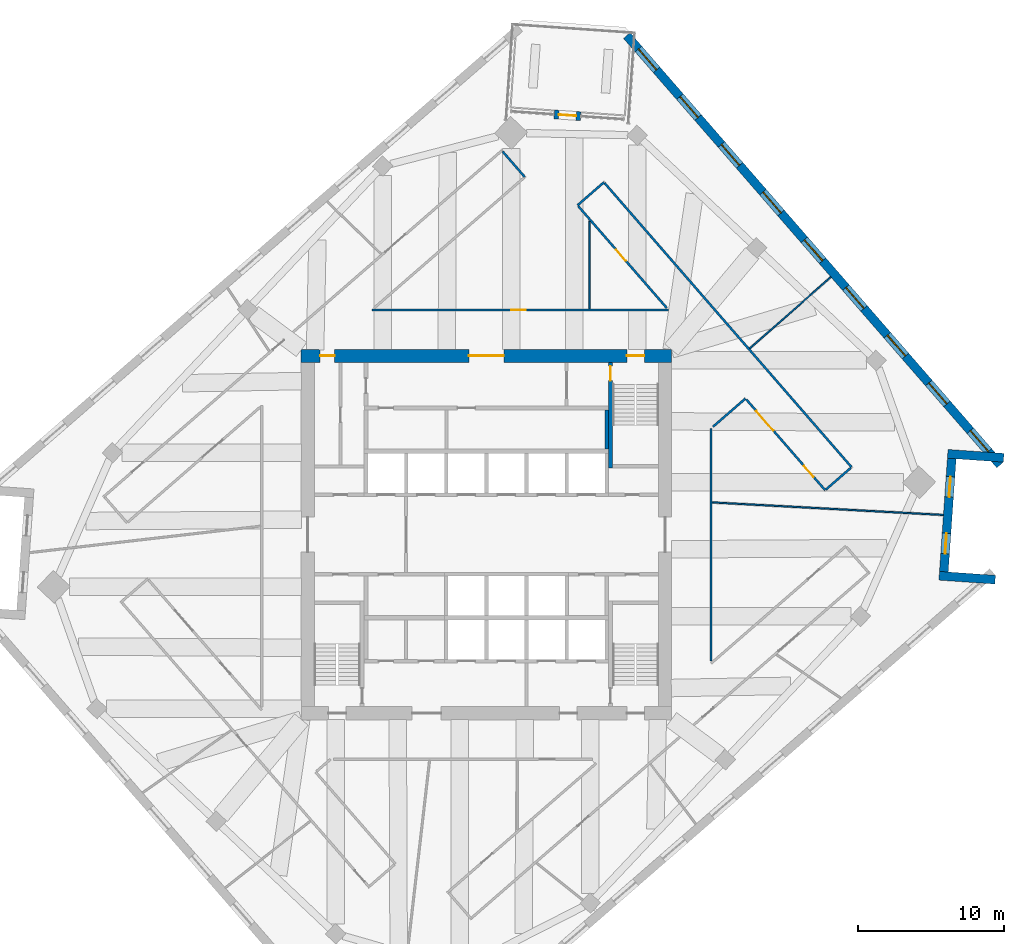
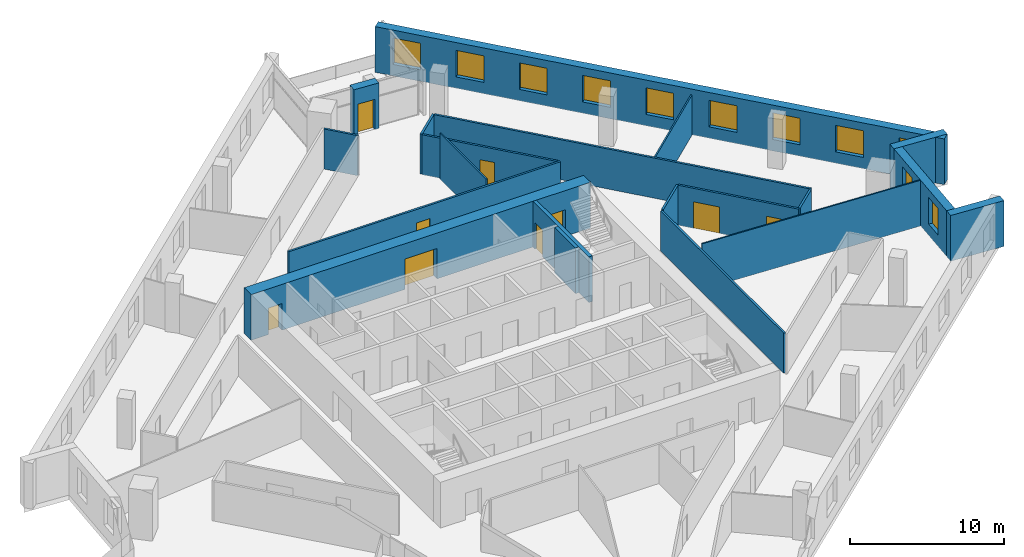
# One storey, part 8 of 11: 20 walls, 11 windows, 9 doors, 20 openings.
"""IFC4 building model written with IfcOpenShell, lengths in metres."""

import ifcopenshell
import ifcopenshell.guid

model = None  # the IFC model being written
_history = None  # IfcOwnerHistory: only IFC2X3 demands one
_inside = {}  # id of a spatial element -> (the spatial element, [elements in it])
_under = {}  # id of a project, library or spatial element -> (it, [spatial elements below it])
_declared = {}  # id of a project -> (the project, [libraries it declares])
_typed = {}  # id of a type object -> (the type object, [elements of that type])
_made_of = {}  # id of a material, layer set ... -> (it, [elements and type objects made of it])


def new_model(schema):
    """Start an empty IFC model of exactly this schema.

    Asked for "IFC4X3", IfcOpenShell would pick the latest addendum, in which some entities
    have other attributes; the version numbers below select the first issue.
    IFC2X3 requires an IfcOwnerHistory on every rooted entity: one is made here for all.
    """
    global model, _history
    if schema == "IFC4X3":
        model = ifcopenshell.file(schema_version=(4, 3, 0, 0))
    else:
        model = ifcopenshell.file(schema=schema)
    _inside.clear()
    _under.clear()
    _declared.clear()
    _typed.clear()
    _made_of.clear()
    _history = None
    if model.schema == "IFC2X3":
        org = make("IfcOrganization", Name="unknown")
        user = make(
            "IfcPersonAndOrganization",
            ThePerson=make("IfcPerson", FamilyName="unknown"),
            TheOrganization=org,
        )
        app = make(
            "IfcApplication",
            ApplicationDeveloper=org,
            Version="unknown",
            ApplicationFullName="unknown",
            ApplicationIdentifier="unknown",
        )
        _history = make(
            "IfcOwnerHistory",
            OwningUser=user,
            OwningApplication=app,
            ChangeAction="ADDED",
            CreationDate=0,
        )
    return model


def make(cls, **values):
    """One entity of the class cls with the attributes given. An attribute that is None is left unset."""
    return model.create_entity(
        cls, **{name: value for name, value in values.items() if value is not None}
    )


def rooted(cls, **values):
    """An entity with a GlobalId (a new one), such as an element, a storey or a relation."""
    return make(cls, GlobalId=ifcopenshell.guid.new(), OwnerHistory=_history, **values)


def si_unit(unit_type, name, prefix=None):
    """IfcSIUnit, for example si_unit("LENGTHUNIT", "METRE", prefix="MILLI")."""
    return make("IfcSIUnit", UnitType=unit_type, Prefix=prefix, Name=name)


def assignment(units):
    """IfcUnitAssignment: the units of a project."""
    return None if units is None else make("IfcUnitAssignment", Units=units)


def point(xyz):
    """IfcCartesianPoint."""
    return None if xyz is None else make("IfcCartesianPoint", Coordinates=xyz)


def direction(xyz):
    """IfcDirection."""
    return None if xyz is None else make("IfcDirection", DirectionRatios=xyz)


def frame(location, z_axis=None, x_axis=None):
    """IfcAxis2Placement3D, a coordinate frame: its origin and axes. An axis left out is left unset."""
    return make(
        "IfcAxis2Placement3D",
        Location=point(location),
        Axis=direction(z_axis),
        RefDirection=direction(x_axis),
    )


def frame_2d(location, x_axis=None):
    """IfcAxis2Placement2D, a coordinate frame in the plane: its origin and x axis."""
    return make(
        "IfcAxis2Placement2D", Location=point(location), RefDirection=direction(x_axis)
    )


def origin():
    """The frame at (0, 0, 0) with its axes left unset."""
    return frame((0.0, 0.0, 0.0))


def place(relative_to, where):
    """IfcLocalPlacement: puts the frame where relative to a parent placement (None: the world)."""
    return make(
        "IfcLocalPlacement", PlacementRelTo=relative_to, RelativePlacement=where
    )


def context(
    kind, dimensions, precision=None, world=None, true_north=None, identifier=None
):
    """IfcGeometricRepresentationContext, for example the 3D "Model" context."""
    return make(
        "IfcGeometricRepresentationContext",
        ContextIdentifier=identifier,
        ContextType=kind,
        CoordinateSpaceDimension=dimensions,
        Precision=precision,
        WorldCoordinateSystem=world,
        TrueNorth=true_north,
    )


def subcontext(parent, identifier, kind, view, scale=None):
    """IfcGeometricRepresentationSubContext, for example "Body" below "Model"."""
    return make(
        "IfcGeometricRepresentationSubContext",
        ContextIdentifier=identifier,
        ContextType=kind,
        ParentContext=parent,
        TargetScale=scale,
        TargetView=view,
    )


def project(units=None, contexts=None):
    """IfcProject with its units and contexts."""
    return rooted(
        "IfcProject",
        Name="project",
        RepresentationContexts=contexts,
        UnitsInContext=assignment(units),
    )


def spatial(cls, under=None, at=None, **own):
    """A site, building, storey or space (cls), placed at a placement, below another one or the project."""
    s = rooted(cls, ObjectPlacement=at, **own)
    if under is not None:
        _under.setdefault(under.id(), (under, []))[1].append(s)
    return s


def profile(cls, at=None, kind="AREA", **sizes):
    """A parametric profile (cls). Its sizes go by their IFC names, for example OverallWidth=200.0."""
    return make(cls, ProfileType=kind, Position=at, **sizes)


def rectangle(**sizes):
    """IfcRectangleProfileDef."""
    return profile("IfcRectangleProfileDef", **sizes)


def extrude(swept, where, along, depth):
    """IfcExtrudedAreaSolid: the profile swept, set in the frame where, extruded along a direction by depth."""
    return make(
        "IfcExtrudedAreaSolid",
        SweptArea=swept,
        Position=where,
        ExtrudedDirection=direction(along),
        Depth=depth,
    )


def shape(context_of_items, identifier, shape_type, items):
    """IfcShapeRepresentation: the items that make up one representation, for example the "Body"."""
    return make(
        "IfcShapeRepresentation",
        ContextOfItems=context_of_items,
        RepresentationIdentifier=identifier,
        RepresentationType=shape_type,
        Items=items,
    )


def material(Name=None, Category=None):
    """IfcMaterial."""
    return make("IfcMaterial", Name=Name, Category=Category)


def layer(
    of_material, thickness, ventilated=None, Name=None, Category=None, Priority=None
):
    """IfcMaterialLayer: one layer of a wall or slab, of a material (None: an air gap)."""
    return make(
        "IfcMaterialLayer",
        Material=of_material,
        LayerThickness=thickness,
        IsVentilated=ventilated,
        Name=Name,
        Category=Category,
        Priority=Priority,
    )


def layer_set(layers, Name=None):
    """IfcMaterialLayerSet."""
    return make("IfcMaterialLayerSet", MaterialLayers=layers, LayerSetName=Name)


def made_of(thing, what):
    """Note that an element or type object is made of a material, layer set ...; save() writes the relation."""
    if what is not None:
        _made_of.setdefault(what.id(), (what, []))[1].append(thing)
    return thing


def type_object(cls, material=None, **own):
    """A type object (cls), such as IfcWallType, which elements share."""
    return made_of(rooted(cls, **own), material)


def element(
    cls,
    number,
    at=None,
    inside=None,
    cuts=None,
    type_object=None,
    material=None,
    context=None,
    identifier="Body",
    shape_type=None,
    held_by="IfcProductDefinitionShape",
    body=None,
    shapes=None,
    **own,
):
    """One element of the class cls, such as IfcWall. Its Tag is "e" and its number.

    at: its placement. inside: the storey or other place that contains it. cuts: it is an
    opening in that element (IfcRelVoidsElement). A single representation is given by context,
    identifier, shape_type and body (its items); several are given by shapes. held_by: the class
    of the entity that holds the representations. save() writes the other relations.
    """
    e = rooted(cls, Tag="e%d" % number, ObjectPlacement=at, **own)
    if body is not None:
        shapes = [shape(context, identifier, shape_type, body)]
    if shapes is not None:
        e.Representation = make(held_by, Representations=shapes)
    if inside is not None:
        _inside.setdefault(inside.id(), (inside, []))[1].append(e)
    if cuts is not None:
        rooted(
            "IfcRelVoidsElement", RelatingBuildingElement=cuts, RelatedOpeningElement=e
        )
    if type_object is not None:
        _typed.setdefault(type_object.id(), (type_object, []))[1].append(e)
    return made_of(e, material)


def fill(opening, filler):
    """IfcRelFillsElement: the door or window that sits in an opening."""
    return rooted(
        "IfcRelFillsElement",
        RelatingOpeningElement=opening,
        RelatedBuildingElement=filler,
    )


def aggregate(whole, parts):
    """IfcRelAggregates: a whole, such as a stair, and the parts it consists of."""
    return rooted("IfcRelAggregates", RelatingObject=whole, RelatedObjects=parts)


def save(model, path):
    """Write the relations noted so far, then the file.

    IfcRelAggregates (storeys below a building ...), IfcRelContainedInSpatialStructure (elements
    in a storey), IfcRelDefinesByType, IfcRelAssociatesMaterial and IfcRelDeclares: one each for
    every whole, place, type object, material and project.
    """
    for whole, parts in _under.values():
        aggregate(whole, parts)
    for where, things in _inside.values():
        rooted(
            "IfcRelContainedInSpatialStructure",
            RelatedElements=things,
            RelatingStructure=where,
        )
    for kind, things in _typed.values():
        rooted("IfcRelDefinesByType", RelatedObjects=things, RelatingType=kind)
    for what, things in _made_of.values():
        rooted("IfcRelAssociatesMaterial", RelatedObjects=things, RelatingMaterial=what)
    for by, libraries in _declared.values():
        rooted("IfcRelDeclares", RelatingContext=by, RelatedDefinitions=libraries)
    model.write(path)


model = new_model("IFC4")

# Units and contexts
model_context = context("Model", 3, precision=1e-05, world=origin(), true_north=direction((0.0, 1.0)))
body_context = subcontext(model_context, "Body", "Model", "MODEL_VIEW")
ifc_project = project(units=[si_unit("LENGTHUNIT", "METRE"), si_unit("AREAUNIT", "SQUARE_METRE"), si_unit("VOLUMEUNIT", "CUBIC_METRE"), si_unit("PLANEANGLEUNIT", "RADIAN"), si_unit("MASSUNIT", "GRAM", prefix="KILO")], contexts=[model_context])

# Site, building, storey
site_placement = place(None, origin())
site = spatial("IfcSite", under=ifc_project, at=site_placement, CompositionType="ELEMENT")
building_placement = place(site_placement, origin())
building = spatial("IfcBuilding", under=site, at=building_placement, Name="Dilmun Exchange Tower", CompositionType="ELEMENT")
storey_placement = place(building_placement, frame((0.0, 0.0, 193.300048828125)))
storey = spatial("IfcBuildingStorey", under=building, at=storey_placement, Name="L45", CompositionType="ELEMENT", Elevation=193.300048828125)

# Wall
ifc_material_1 = material(Name="Concrete C40/50", Category="concrete")
ifc_layer_1 = layer(ifc_material_1, 0.25)
ifc_layer_set_1 = layer_set([ifc_layer_1], Name="Concrete C40/50")
wall_type_1 = type_object("IfcWallType", Name="Core partition wall 250", PredefinedType="PARTITIONING", material=ifc_layer_set_1)
wall_1_placement = place(storey_placement, frame((8.25, 5.85498046875, 0.0), z_axis=(0.0, 0.0, 1.0), x_axis=(0.0, 1.0, 0.0)))
element("IfcWall", 1, at=wall_1_placement, inside=storey, type_object=wall_type_1, Name="L45 core partition wall 17", PredefinedType="PARTITIONING", context=body_context, shape_type="SweptSolid", body=[
    extrude(rectangle(XDim=2.68994140625, YDim=0.25, at=frame_2d((1.344970703125, 0.0))), origin(), (0.0, 0.0, 1.0), 3.619873046875),
])

# Wall, openings, doors
ifc_material_2 = material(Name="Concrete C60/75", Category="concrete")
ifc_layer_2 = layer(ifc_material_2, 0.89990234375)
ifc_layer_set_2 = layer_set([ifc_layer_2], Name="Concrete C60/75")
wall_type_2 = type_object("IfcWallType", Name="Core shear wall 900 Concrete C60/75", PredefinedType="SHEAR", material=ifc_layer_set_2)
wall_2_placement = place(storey_placement, frame((-12.699951171875, 12.25, 0.0), z_axis=(0.0, 0.0, 1.0), x_axis=(1.0, 0.0, 0.0)))
wall_2 = element("IfcWall", 2, at=wall_2_placement, inside=storey, type_object=wall_type_2, Name="L45 core shear wall N", PredefinedType="SHEAR", context=body_context, shape_type="SweptSolid", body=[
    extrude(rectangle(XDim=25.39990234375, YDim=0.89990234375, at=frame_2d((12.699951171875, 0.0))), origin(), (0.0, 0.0, 1.0), 3.619873046875),
])
opening_1_placement = place(wall_2_placement, frame((11.5, 0.0, 0.0)))
opening_1 = element("IfcOpeningElement", 3, at=opening_1_placement, cuts=wall_2, Name="Opening CD1", PredefinedType="OPENING", context=body_context, shape_type="SweptSolid", body=[
    extrude(rectangle(XDim=2.39990234375, YDim=2.39990234375, at=frame_2d((1.199951171875, 1.199951171875))), frame((0.0, 0.4599609375, 0.0), z_axis=(0.0, -1.0, 0.0), x_axis=(1.0, 0.0, 0.0)), (0.0, 0.0, 1.0), 0.919921875),
])
opening_2_placement = place(wall_2_placement, frame((22.324951171875, 0.0, 0.0)))
opening_2 = element("IfcOpeningElement", 4, at=opening_2_placement, cuts=wall_2, Name="Opening CD3", PredefinedType="OPENING", context=body_context, shape_type="SweptSolid", body=[
    extrude(rectangle(XDim=1.199951171875, YDim=2.10009765625, at=frame_2d((0.60009765625, 1.050048828125))), frame((0.0, 0.4599609375, 0.0), z_axis=(0.0, -1.0, 0.0), x_axis=(1.0, 0.0, 0.0)), (0.0, 0.0, 1.0), 0.919921875),
])
opening_3_placement = place(wall_2_placement, frame((1.300048828125, 0.0, 0.0)))
opening_3 = element("IfcOpeningElement", 5, at=opening_3_placement, cuts=wall_2, Name="Opening CD4", PredefinedType="OPENING", context=body_context, shape_type="SweptSolid", body=[
    extrude(rectangle(XDim=1.0, YDim=2.10009765625, at=frame_2d((0.5, 1.050048828125))), frame((0.0, 0.4599609375, 0.0), z_axis=(0.0, -1.0, 0.0), x_axis=(1.0, 0.0, 0.0)), (0.0, 0.0, 1.0), 0.919921875),
])
ifc_material_3 = material(Name="Fire-rated steel door set", Category="steel")
door_type_1 = type_object("IfcDoorType", Name="Core lobby door 2400x2400", OperationType="DOUBLE_DOOR_DOUBLE_SWING", PredefinedType="DOOR", material=ifc_material_3)
door_1_placement = place(opening_1_placement, origin())
door_1 = element("IfcDoor", 6, at=door_1_placement, inside=storey, type_object=door_type_1, Name="L45 door North lift lobby", OperationType="SINGLE_SWING_LEFT", OverallHeight=2.39990234375, OverallWidth=2.39990234375, PredefinedType="DOOR", context=body_context, shape_type="SweptSolid", body=[
    extrude(rectangle(XDim=2.39990234375, YDim=2.39990234375, at=frame_2d((1.199951171875, 1.199951171875))), frame((0.0, 0.02490234375, 0.0), z_axis=(0.0, -1.0, 0.0), x_axis=(1.0, 0.0, 0.0)), (0.0, 0.0, 1.0), 0.050048828125),
])
fill(opening_1, door_1)
door_type_2 = type_object("IfcDoorType", Name="Core room door 1000x2100", OperationType="SINGLE_SWING_LEFT", PredefinedType="DOOR", material=ifc_material_3)
door_2_placement = place(opening_3_placement, origin())
door_2 = element("IfcDoor", 7, at=door_2_placement, inside=storey, type_object=door_type_2, Name="L45 door North-west core rooms", OperationType="SINGLE_SWING_LEFT", OverallHeight=2.10009765625, OverallWidth=1.0, PredefinedType="DOOR", context=body_context, shape_type="SweptSolid", body=[
    extrude(rectangle(XDim=1.0, YDim=2.10009765625, at=frame_2d((0.5, 1.050048828125))), frame((0.0, 0.02490234375, 0.0), z_axis=(0.0, -1.0, 0.0), x_axis=(1.0, 0.0, 0.0)), (0.0, 0.0, 1.0), 0.050048828125),
])
fill(opening_3, door_2)
door_type_3 = type_object("IfcDoorType", Name="Stair exit door 1200x2100", OperationType="SINGLE_SWING_LEFT", PredefinedType="DOOR", material=ifc_material_3)
door_3_placement = place(opening_2_placement, origin())
door_3 = element("IfcDoor", 8, at=door_3_placement, inside=storey, type_object=door_type_3, Name="L45 door Stair ST1", OperationType="SINGLE_SWING_LEFT", OverallHeight=2.10009765625, OverallWidth=1.199951171875, PredefinedType="DOOR", context=body_context, shape_type="SweptSolid", body=[
    extrude(rectangle(XDim=1.199951171875, YDim=2.10009765625, at=frame_2d((0.60009765625, 1.050048828125))), frame((0.0, 0.02490234375, 0.0), z_axis=(0.0, -1.0, 0.0), x_axis=(1.0, 0.0, 0.0)), (0.0, 0.0, 1.0), 0.050048828125),
])
fill(opening_2, door_3)

# Wall, opening, door
ifc_material_4 = material(Name="Corridor wall 150")
ifc_layer_3 = layer(ifc_material_4, 0.14990234375)
ifc_layer_set_3 = layer_set([ifc_layer_3], Name="Corridor wall 150")
wall_type_3 = type_object("IfcWallType", Name="Corridor wall 150", PredefinedType="PARTITIONING", material=ifc_layer_set_3)
wall_3_placement = place(storey_placement, frame((-7.843017578125, 15.39990234375, 0.0), z_axis=(0.0, 0.0, 1.0), x_axis=(1.0, 0.0, 0.0)))
wall_3 = element("IfcWall", 9, at=wall_3_placement, inside=storey, type_object=wall_type_3, Name="Corridor wall", PredefinedType="PARTITIONING", context=body_context, shape_type="SweptSolid", body=[
    extrude(rectangle(XDim=20.318115234375, YDim=0.14990234375, at=frame_2d((10.1591796875, 0.0))), origin(), (0.0, 0.0, 1.0), 3.169921875),
])
opening_4_placement = place(wall_3_placement, frame((9.550048828125, 0.0, 0.0)))
opening_4 = element("IfcOpeningElement", 10, at=opening_4_placement, cuts=wall_3, Name="Opening TF44-D11", PredefinedType="OPENING", context=body_context, shape_type="SweptSolid", body=[
    extrude(rectangle(XDim=1.0, YDim=2.10009765625, at=frame_2d((0.5, 1.050048828125))), frame((0.0, 0.0849609375, 0.0), z_axis=(0.0, -1.0, 0.0), x_axis=(1.0, 0.0, 0.0)), (0.0, 0.0, 1.0), 0.169921875),
])
ifc_material_5 = material(Name="Fire door 1000 x 2100")
door_type_4 = type_object("IfcDoorType", Name="Fire door 1000 x 2100", OperationType="NOTDEFINED", PredefinedType="DOOR", material=ifc_material_5)
door_4_placement = place(opening_4_placement, origin())
door_4 = element("IfcDoor", 11, at=door_4_placement, inside=storey, type_object=door_type_4, Name="Door TF44-D11", OperationType="SINGLE_SWING_LEFT", OverallHeight=2.10009765625, OverallWidth=1.0, PredefinedType="DOOR", context=body_context, shape_type="SweptSolid", body=[
    extrude(rectangle(XDim=1.0, YDim=2.10009765625, at=frame_2d((0.5, 1.050048828125))), frame((0.0, 0.02490234375, 0.0), z_axis=(0.0, -1.0, 0.0), x_axis=(1.0, 0.0, 0.0)), (0.0, 0.0, 1.0), 0.050048828125),
])
fill(opening_4, door_4)

# Walls
wall_4_placement = place(storey_placement, frame((1.106201171875, 26.260498046875, 0.0), z_axis=(0.0, 0.0, 1.0), x_axis=(0.655757529051, -0.754971564426, 0.0)))
element("IfcWall", 12, at=wall_4_placement, inside=storey, type_object=wall_type_3, Name="Corridor wall", PredefinedType="PARTITIONING", context=body_context, shape_type="SweptSolid", body=[
    extrude(rectangle(XDim=2.325439453125, YDim=0.14990234375, at=frame_2d((1.16259765625, 0.0))), origin(), (0.0, 0.0, 1.0), 3.169921875),
])
wall_5_placement = place(storey_placement, frame((6.242919921875, 22.569091796875, 0.0), z_axis=(0.0, 0.0, 1.0), x_axis=(0.75457705231, 0.656211453822, 0.0)))
element("IfcWall", 13, at=wall_5_placement, inside=storey, type_object=wall_type_3, Name="Corridor wall", PredefinedType="PARTITIONING", context=body_context, shape_type="SweptSolid", body=[
    extrude(rectangle(XDim=2.400146484375, YDim=0.14990234375, at=frame_2d((1.2001953125, 0.0))), origin(), (0.0, 0.0, 1.0), 3.169921875),
])

# Wall, opening, door
wall_6_placement = place(storey_placement, frame((6.292236328125, 22.512451171875, 0.0), z_axis=(0.0, 0.0, 1.0), x_axis=(0.656052066859, -0.754715632255, 0.0)))
wall_6 = element("IfcWall", 14, at=wall_6_placement, inside=storey, type_object=wall_type_3, Name="Corridor wall", PredefinedType="PARTITIONING", context=body_context, shape_type="SweptSolid", body=[
    extrude(rectangle(XDim=9.259521484375, YDim=0.14990234375, at=frame_2d((4.6298828125, 0.0))), origin(), (0.0, 0.0, 1.0), 3.169921875),
])
opening_5_placement = place(wall_6_placement, frame((3.962646484375, 0.0, 0.0)))
opening_5 = element("IfcOpeningElement", 15, at=opening_5_placement, cuts=wall_6, Name="Opening TF44-D12", PredefinedType="OPENING", context=body_context, shape_type="SweptSolid", body=[
    extrude(rectangle(XDim=1.0, YDim=2.10009765625, at=frame_2d((0.5, 1.050048828125))), frame((0.0, 0.0849609375, 0.0), z_axis=(0.0, -1.0, 0.0), x_axis=(1.0, 0.0, 0.0)), (0.0, 0.0, 1.0), 0.169921875),
])
door_5_placement = place(opening_5_placement, frame((1.0, 0.0, 0.0), z_axis=(0.0, 0.0, 1.0), x_axis=(-1.0, 0.0, 0.0)))
door_5 = element("IfcDoor", 16, at=door_5_placement, inside=storey, type_object=door_type_4, Name="Door TF44-D12", OperationType="SINGLE_SWING_RIGHT", OverallHeight=2.10009765625, OverallWidth=1.0, PredefinedType="DOOR", context=body_context, shape_type="SweptSolid", body=[
    extrude(rectangle(XDim=1.0, YDim=2.10009765625, at=frame_2d((0.5, 1.050048828125))), frame((0.0, 0.02490234375, 0.0), z_axis=(0.0, -1.0, 0.0), x_axis=(1.0, 0.0, 0.0)), (0.0, 0.0, 1.0), 0.050048828125),
])
fill(opening_5, door_5)

# Walls
wall_7_placement = place(storey_placement, frame((8.103271484375, 24.08740234375, 0.0), z_axis=(0.0, 0.0, 1.0), x_axis=(0.656048444225, -0.754718781289, 0.0)))
element("IfcWall", 17, at=wall_7_placement, inside=storey, type_object=wall_type_3, Name="Corridor wall", PredefinedType="PARTITIONING", context=body_context, shape_type="SweptSolid", body=[
    extrude(rectangle(XDim=25.799560546875, YDim=0.14990234375, at=frame_2d((12.89990234375, 0.0))), origin(), (0.0, 0.0, 1.0), 3.169921875),
])
wall_8_placement = place(storey_placement, frame((15.39990234375, -8.66650390625, 0.0), z_axis=(0.0, 0.0, 1.0), x_axis=(0.0, 1.0, 0.0)))
element("IfcWall", 18, at=wall_8_placement, inside=storey, type_object=wall_type_3, Name="Corridor wall", PredefinedType="PARTITIONING", context=body_context, shape_type="SweptSolid", body=[
    extrude(rectangle(XDim=15.943603515625, YDim=0.14990234375, at=frame_2d((7.9716796875, 0.0))), origin(), (0.0, 0.0, 1.0), 3.169921875),
])
wall_9_placement = place(storey_placement, frame((15.524169921875, 7.385009765625, 0.0), z_axis=(0.0, 0.0, 1.0), x_axis=(0.754751247574, 0.656011093111, 0.0)))
element("IfcWall", 19, at=wall_9_placement, inside=storey, type_object=wall_type_3, Name="Corridor wall", PredefinedType="PARTITIONING", context=body_context, shape_type="SweptSolid", body=[
    extrude(rectangle(XDim=2.957275390625, YDim=0.14990234375, at=frame_2d((1.478515625, 0.0))), origin(), (0.0, 0.0, 1.0), 3.169921875),
])

# Wall, openings, doors
wall_10_placement = place(storey_placement, frame((17.80517578125, 9.268310546875, 0.0), z_axis=(0.0, 0.0, 1.0), x_axis=(0.656027059873, -0.754737369364, 0.0)))
wall_10 = element("IfcWall", 20, at=wall_10_placement, inside=storey, type_object=wall_type_3, Name="Corridor wall", PredefinedType="PARTITIONING", context=body_context, shape_type="SweptSolid", body=[
    extrude(rectangle(XDim=8.2509765625, YDim=0.14990234375, at=frame_2d((4.12548828125, 0.0))), origin(), (0.0, 0.0, 1.0), 3.169921875),
])
opening_6_placement = place(wall_10_placement, frame((1.050048828125, 0.0, 0.0)))
opening_6 = element("IfcOpeningElement", 21, at=opening_6_placement, cuts=wall_10, Name="Opening TF44-D17", PredefinedType="OPENING", context=body_context, shape_type="SweptSolid", body=[
    extrude(rectangle(XDim=1.800048828125, YDim=2.10009765625, at=frame_2d((0.89990234375, 1.050048828125))), frame((0.0, 0.0849609375, 0.0), z_axis=(0.0, -1.0, 0.0), x_axis=(1.0, 0.0, 0.0)), (0.0, 0.0, 1.0), 0.169921875),
])
opening_7_placement = place(wall_10_placement, frame((6.050048828125, 0.0, 0.0)))
opening_7 = element("IfcOpeningElement", 22, at=opening_7_placement, cuts=wall_10, Name="Opening TF44-D18", PredefinedType="OPENING", context=body_context, shape_type="SweptSolid", body=[
    extrude(rectangle(XDim=1.0, YDim=2.10009765625, at=frame_2d((0.5, 1.050048828125))), frame((0.0, 0.0849609375, 0.0), z_axis=(0.0, -1.0, 0.0), x_axis=(1.0, 0.0, 0.0)), (0.0, 0.0, 1.0), 0.169921875),
])
door_6_placement = place(opening_7_placement, frame((1.0, 0.0, 0.0), z_axis=(0.0, 0.0, 1.0), x_axis=(-1.0, 0.0, 0.0)))
door_6 = element("IfcDoor", 23, at=door_6_placement, inside=storey, type_object=door_type_4, Name="Door TF44-D18", OperationType="SINGLE_SWING_RIGHT", OverallHeight=2.10009765625, OverallWidth=1.0, PredefinedType="DOOR", context=body_context, shape_type="SweptSolid", body=[
    extrude(rectangle(XDim=1.0, YDim=2.10009765625, at=frame_2d((0.5, 1.050048828125))), frame((0.0, 0.02490234375, 0.0), z_axis=(0.0, -1.0, 0.0), x_axis=(1.0, 0.0, 0.0)), (0.0, 0.0, 1.0), 0.050048828125),
])
fill(opening_7, door_6)
ifc_material_6 = material(Name="Fire door pair 1800 x 2100")
door_type_5 = type_object("IfcDoorType", Name="Fire door pair 1800 x 2100", OperationType="NOTDEFINED", PredefinedType="DOOR", material=ifc_material_6)
door_7_placement = place(opening_6_placement, frame((1.800048828125, 0.0, 0.0), z_axis=(0.0, 0.0, 1.0), x_axis=(-1.0, 0.0, 0.0)))
door_7 = element("IfcDoor", 24, at=door_7_placement, inside=storey, type_object=door_type_5, Name="Door TF44-D17", OperationType="DOUBLE_DOOR_SINGLE_SWING", OverallHeight=2.10009765625, OverallWidth=1.800048828125, PredefinedType="DOOR", context=body_context, shape_type="SweptSolid", body=[
    extrude(rectangle(XDim=1.800048828125, YDim=2.10009765625, at=frame_2d((0.89990234375, 1.050048828125))), frame((0.0, 0.02490234375, 0.0), z_axis=(0.0, -1.0, 0.0), x_axis=(1.0, 0.0, 0.0)), (0.0, 0.0, 1.0), 0.050048828125),
])
fill(opening_6, door_7)

# Walls
wall_11_placement = place(storey_placement, frame((23.274658203125, 3.090087890625, 0.0), z_axis=(0.0, 0.0, 1.0), x_axis=(0.754495728819, 0.656304955942, 0.0)))
element("IfcWall", 25, at=wall_11_placement, inside=storey, type_object=wall_type_3, Name="Corridor wall", PredefinedType="PARTITIONING", context=body_context, shape_type="SweptSolid", body=[
    extrude(rectangle(XDim=2.250244140625, YDim=0.14990234375, at=frame_2d((1.125, 0.0))), origin(), (0.0, 0.0, 1.0), 3.169921875),
])
ifc_material_7 = material(Name="Partition 100")
ifc_layer_4 = layer(ifc_material_7, 0.10009765625)
ifc_layer_set_4 = layer_set([ifc_layer_4], Name="Partition 100")
wall_type_4 = type_object("IfcWallType", Name="Partition 100", PredefinedType="PARTITIONING", material=ifc_layer_set_4)
wall_12_placement = place(storey_placement, frame((7.054931640625, 15.47509765625, 0.0), z_axis=(0.0, 0.0, 1.0), x_axis=(0.0, 1.0, 0.0)))
element("IfcWall", 26, at=wall_12_placement, inside=storey, type_object=wall_type_4, Name="Partition", PredefinedType="PARTITIONING", context=body_context, shape_type="SweptSolid", body=[
    extrude(rectangle(XDim=5.988037109375, YDim=0.10009765625, at=frame_2d((2.994140625, 0.0))), origin(), (0.0, 0.0, 1.0), 3.619873046875),
])
wall_13_placement = place(storey_placement, frame((15.477783203125, 2.202880859375, 0.0), z_axis=(0.0, 0.0, 1.0), x_axis=(0.998532575908, -0.054154361321, 0.0)))
element("IfcWall", 27, at=wall_13_placement, inside=storey, type_object=wall_type_4, Name="Partition", PredefinedType="PARTITIONING", context=body_context, shape_type="SweptSolid", body=[
    extrude(rectangle(XDim=15.868896484375, YDim=0.10009765625, at=frame_2d((7.9345703125, 0.0))), origin(), (0.0, 0.0, 1.0), 3.619873046875),
])
wall_14_placement = place(storey_placement, frame((18.049560546875, 12.759765625, 0.0), z_axis=(0.0, 0.0, 1.0), x_axis=(0.751001885152, 0.660300059441, 0.0)))
element("IfcWall", 28, at=wall_14_placement, inside=storey, type_object=wall_type_4, Name="Partition", PredefinedType="PARTITIONING", context=body_context, shape_type="SweptSolid", body=[
    extrude(rectangle(XDim=7.40478515625, YDim=0.10009765625, at=frame_2d((3.702392578125, 0.0))), origin(), (0.0, 0.0, 1.0), 3.169921875),
])
ifc_material_8 = material(Name="Precast concrete C50/60", Category="concrete")
ifc_layer_5 = layer(ifc_material_8, 0.60009765625)
ifc_layer_set_5 = layer_set([ifc_layer_5], Name="Precast concrete C50/60")
wall_type_5 = type_object("IfcWallType", Name="Precast stone-clad wall 600", PredefinedType="STANDARD", material=ifc_layer_set_5)
wall_15_placement = place(storey_placement, frame((34.870849609375, -3.093505859375, 0.0), z_axis=(0.0, 0.0, 1.0), x_axis=(-0.997563916762, 0.069758382828, 0.0)))
element("IfcWall", 29, at=wall_15_placement, inside=storey, type_object=wall_type_5, Name="Facade wall L45-12", PredefinedType="STANDARD", context=body_context, shape_type="SweptSolid", body=[
    extrude(rectangle(XDim=3.84619140625, YDim=0.60009765625, at=frame_2d((1.923095703125, 0.0))), origin(), (0.0, 0.0, 1.0), 3.619873046875),
])

# Wall, openings, windows
wall_16_placement = place(storey_placement, frame((31.35400390625, -2.546875, 0.0), z_axis=(0.0, 0.0, 1.0), x_axis=(0.069743544409, 0.997564954283, 0.0)))
wall_16 = element("IfcWall", 30, at=wall_16_placement, inside=storey, type_object=wall_type_5, Name="Facade wall L45-13", PredefinedType="STANDARD", context=body_context, shape_type="SweptSolid", body=[
    extrude(rectangle(XDim=7.7783203125, YDim=0.60009765625, at=frame_2d((3.88916015625, 0.0))), origin(), (0.0, 0.0, 1.0), 3.619873046875),
])
opening_8_placement = place(wall_16_placement, frame((1.244384765625, 0.0, 0.89990234375)))
opening_8 = element("IfcOpeningElement", 31, at=opening_8_placement, cuts=wall_16, Name="Opening W140-210", PredefinedType="OPENING", context=body_context, shape_type="SweptSolid", body=[
    extrude(rectangle(XDim=1.39990234375, YDim=2.10009765625, at=frame_2d((0.699951171875, 1.050048828125))), frame((0.0, 0.31005859375, 0.0), z_axis=(0.0, -1.0, 0.0), x_axis=(1.0, 0.0, 0.0)), (0.0, 0.0, 1.0), 0.6201171875),
])
opening_9_placement = place(wall_16_placement, frame((5.133544921875, 0.0, 0.89990234375)))
opening_9 = element("IfcOpeningElement", 32, at=opening_9_placement, cuts=wall_16, Name="Opening W140-210", PredefinedType="OPENING", context=body_context, shape_type="SweptSolid", body=[
    extrude(rectangle(XDim=1.39990234375, YDim=2.10009765625, at=frame_2d((0.699951171875, 1.050048828125))), frame((0.0, 0.31005859375, 0.0), z_axis=(0.0, -1.0, 0.0), x_axis=(1.0, 0.0, 0.0)), (0.0, 0.0, 1.0), 0.6201171875),
])
ifc_material_9 = material(Name="Clear low-emissivity glass in aluminium frame", Category="aluminium")
window_type_1 = type_object("IfcWindowType", Name="Punched window 1400 x 2100", PartitioningType="DOUBLE_PANEL_VERTICAL", PredefinedType="WINDOW", material=ifc_material_9)
window_1_placement = place(opening_8_placement, origin())
window_1 = element("IfcWindow", 33, at=window_1_placement, inside=storey, type_object=window_type_1, Name="Window 14.1", OverallHeight=2.10009765625, OverallWidth=1.39990234375, PartitioningType="SINGLE_PANEL", PredefinedType="WINDOW", context=body_context, shape_type="SweptSolid", body=[
    extrude(rectangle(XDim=1.39990234375, YDim=2.10009765625, at=frame_2d((0.699951171875, 1.050048828125))), frame((0.0, 0.030029296875, 0.0), z_axis=(0.0, -1.0, 0.0), x_axis=(1.0, 0.0, 0.0)), (0.0, 0.0, 1.0), 0.06005859375),
])
fill(opening_8, window_1)
window_2_placement = place(opening_9_placement, origin())
window_2 = element("IfcWindow", 34, at=window_2_placement, inside=storey, type_object=window_type_1, Name="Window 14.2", OverallHeight=2.10009765625, OverallWidth=1.39990234375, PartitioningType="SINGLE_PANEL", PredefinedType="WINDOW", context=body_context, shape_type="SweptSolid", body=[
    extrude(rectangle(XDim=1.39990234375, YDim=2.10009765625, at=frame_2d((0.699951171875, 1.050048828125))), frame((0.0, 0.030029296875, 0.0), z_axis=(0.0, -1.0, 0.0), x_axis=(1.0, 0.0, 0.0)), (0.0, 0.0, 1.0), 0.06005859375),
])
fill(opening_9, window_2)

# Wall
wall_17_placement = place(storey_placement, frame((31.618408203125, 5.532470703125, 0.0), z_axis=(0.0, 0.0, 1.0), x_axis=(0.997563916762, -0.069758382828, 0.0)))
element("IfcWall", 35, at=wall_17_placement, inside=storey, type_object=wall_type_5, Name="Facade wall L45-14", PredefinedType="STANDARD", context=body_context, shape_type="SweptSolid", body=[
    extrude(rectangle(XDim=3.84619140625, YDim=0.60009765625, at=frame_2d((1.923095703125, 0.0))), origin(), (0.0, 0.0, 1.0), 3.619873046875),
])

# Wall, openings, windows
wall_18_placement = place(storey_placement, frame((35.2080078125, 4.76806640625, 0.0), z_axis=(0.0, 0.0, 1.0), x_axis=(-0.656058749455, 0.754709823219, 0.0)))
wall_18 = element("IfcWall", 36, at=wall_18_placement, inside=storey, type_object=wall_type_5, Name="Facade wall L45-15", PredefinedType="STANDARD", context=body_context, shape_type="SweptSolid", body=[
    extrude(rectangle(XDim=39.000244140625, YDim=0.60009765625, at=frame_2d((19.5, 0.0))), origin(), (0.0, 0.0, 1.0), 3.619873046875),
])
opening_10_placement = place(wall_18_placement, frame((1.216796875, 0.0, 0.89990234375)))
opening_10 = element("IfcOpeningElement", 37, at=opening_10_placement, cuts=wall_18, Name="Opening W190-210", PredefinedType="OPENING", context=body_context, shape_type="SweptSolid", body=[
    extrude(rectangle(XDim=1.89990234375, YDim=2.10009765625, at=frame_2d((0.949951171875, 1.050048828125))), frame((0.0, 0.31005859375, 0.0), z_axis=(0.0, -1.0, 0.0), x_axis=(1.0, 0.0, 0.0)), (0.0, 0.0, 1.0), 0.6201171875),
])
opening_11_placement = place(wall_18_placement, frame((5.550048828125, 0.0, 0.89990234375)))
opening_11 = element("IfcOpeningElement", 38, at=opening_11_placement, cuts=wall_18, Name="Opening W190-210", PredefinedType="OPENING", context=body_context, shape_type="SweptSolid", body=[
    extrude(rectangle(XDim=1.89990234375, YDim=2.10009765625, at=frame_2d((0.949951171875, 1.050048828125))), frame((0.0, 0.31005859375, 0.0), z_axis=(0.0, -1.0, 0.0), x_axis=(1.0, 0.0, 0.0)), (0.0, 0.0, 1.0), 0.6201171875),
])
opening_12_placement = place(wall_18_placement, frame((9.88330078125, 0.0, 0.89990234375)))
opening_12 = element("IfcOpeningElement", 39, at=opening_12_placement, cuts=wall_18, Name="Opening W190-210", PredefinedType="OPENING", context=body_context, shape_type="SweptSolid", body=[
    extrude(rectangle(XDim=1.89990234375, YDim=2.10009765625, at=frame_2d((0.949951171875, 1.050048828125))), frame((0.0, 0.31005859375, 0.0), z_axis=(0.0, -1.0, 0.0), x_axis=(1.0, 0.0, 0.0)), (0.0, 0.0, 1.0), 0.6201171875),
])
opening_13_placement = place(wall_18_placement, frame((14.216796875, 0.0, 0.89990234375)))
opening_13 = element("IfcOpeningElement", 40, at=opening_13_placement, cuts=wall_18, Name="Opening W190-210", PredefinedType="OPENING", context=body_context, shape_type="SweptSolid", body=[
    extrude(rectangle(XDim=1.89990234375, YDim=2.10009765625, at=frame_2d((0.949951171875, 1.050048828125))), frame((0.0, 0.31005859375, 0.0), z_axis=(0.0, -1.0, 0.0), x_axis=(1.0, 0.0, 0.0)), (0.0, 0.0, 1.0), 0.6201171875),
])
opening_14_placement = place(wall_18_placement, frame((18.550048828125, 0.0, 0.89990234375)))
opening_14 = element("IfcOpeningElement", 41, at=opening_14_placement, cuts=wall_18, Name="Opening W190-210", PredefinedType="OPENING", context=body_context, shape_type="SweptSolid", body=[
    extrude(rectangle(XDim=1.89990234375, YDim=2.10009765625, at=frame_2d((0.949951171875, 1.050048828125))), frame((0.0, 0.31005859375, 0.0), z_axis=(0.0, -1.0, 0.0), x_axis=(1.0, 0.0, 0.0)), (0.0, 0.0, 1.0), 0.6201171875),
])
opening_15_placement = place(wall_18_placement, frame((22.88330078125, 0.0, 0.89990234375)))
opening_15 = element("IfcOpeningElement", 42, at=opening_15_placement, cuts=wall_18, Name="Opening W190-210", PredefinedType="OPENING", context=body_context, shape_type="SweptSolid", body=[
    extrude(rectangle(XDim=1.89990234375, YDim=2.10009765625, at=frame_2d((0.949951171875, 1.050048828125))), frame((0.0, 0.31005859375, 0.0), z_axis=(0.0, -1.0, 0.0), x_axis=(1.0, 0.0, 0.0)), (0.0, 0.0, 1.0), 0.6201171875),
])
opening_16_placement = place(wall_18_placement, frame((27.216796875, 0.0, 0.89990234375)))
opening_16 = element("IfcOpeningElement", 43, at=opening_16_placement, cuts=wall_18, Name="Opening W190-210", PredefinedType="OPENING", context=body_context, shape_type="SweptSolid", body=[
    extrude(rectangle(XDim=1.89990234375, YDim=2.10009765625, at=frame_2d((0.949951171875, 1.050048828125))), frame((0.0, 0.31005859375, 0.0), z_axis=(0.0, -1.0, 0.0), x_axis=(1.0, 0.0, 0.0)), (0.0, 0.0, 1.0), 0.6201171875),
])
opening_17_placement = place(wall_18_placement, frame((31.550048828125, 0.0, 0.89990234375)))
opening_17 = element("IfcOpeningElement", 44, at=opening_17_placement, cuts=wall_18, Name="Opening W190-210", PredefinedType="OPENING", context=body_context, shape_type="SweptSolid", body=[
    extrude(rectangle(XDim=1.89990234375, YDim=2.10009765625, at=frame_2d((0.949951171875, 1.050048828125))), frame((0.0, 0.31005859375, 0.0), z_axis=(0.0, -1.0, 0.0), x_axis=(1.0, 0.0, 0.0)), (0.0, 0.0, 1.0), 0.6201171875),
])
opening_18_placement = place(wall_18_placement, frame((35.88330078125, 0.0, 0.89990234375)))
opening_18 = element("IfcOpeningElement", 45, at=opening_18_placement, cuts=wall_18, Name="Opening W190-210", PredefinedType="OPENING", context=body_context, shape_type="SweptSolid", body=[
    extrude(rectangle(XDim=1.89990234375, YDim=2.10009765625, at=frame_2d((0.949951171875, 1.050048828125))), frame((0.0, 0.31005859375, 0.0), z_axis=(0.0, -1.0, 0.0), x_axis=(1.0, 0.0, 0.0)), (0.0, 0.0, 1.0), 0.6201171875),
])
window_type_2 = type_object("IfcWindowType", Name="Punched window 1900 x 2100", PartitioningType="DOUBLE_PANEL_VERTICAL", PredefinedType="WINDOW", material=ifc_material_9)
window_3_placement = place(opening_10_placement, origin())
window_3 = element("IfcWindow", 46, at=window_3_placement, inside=storey, type_object=window_type_2, Name="Window 16.1", OverallHeight=2.10009765625, OverallWidth=1.89990234375, PartitioningType="SINGLE_PANEL", PredefinedType="WINDOW", context=body_context, shape_type="SweptSolid", body=[
    extrude(rectangle(XDim=1.89990234375, YDim=2.10009765625, at=frame_2d((0.949951171875, 1.050048828125))), frame((0.0, 0.030029296875, 0.0), z_axis=(0.0, -1.0, 0.0), x_axis=(1.0, 0.0, 0.0)), (0.0, 0.0, 1.0), 0.06005859375),
])
fill(opening_10, window_3)
window_4_placement = place(opening_11_placement, origin())
window_4 = element("IfcWindow", 47, at=window_4_placement, inside=storey, type_object=window_type_2, Name="Window 16.2", OverallHeight=2.10009765625, OverallWidth=1.89990234375, PartitioningType="SINGLE_PANEL", PredefinedType="WINDOW", context=body_context, shape_type="SweptSolid", body=[
    extrude(rectangle(XDim=1.89990234375, YDim=2.10009765625, at=frame_2d((0.949951171875, 1.050048828125))), frame((0.0, 0.030029296875, 0.0), z_axis=(0.0, -1.0, 0.0), x_axis=(1.0, 0.0, 0.0)), (0.0, 0.0, 1.0), 0.06005859375),
])
fill(opening_11, window_4)
window_5_placement = place(opening_12_placement, origin())
window_5 = element("IfcWindow", 48, at=window_5_placement, inside=storey, type_object=window_type_2, Name="Window 16.3", OverallHeight=2.10009765625, OverallWidth=1.89990234375, PartitioningType="SINGLE_PANEL", PredefinedType="WINDOW", context=body_context, shape_type="SweptSolid", body=[
    extrude(rectangle(XDim=1.89990234375, YDim=2.10009765625, at=frame_2d((0.949951171875, 1.050048828125))), frame((0.0, 0.030029296875, 0.0), z_axis=(0.0, -1.0, 0.0), x_axis=(1.0, 0.0, 0.0)), (0.0, 0.0, 1.0), 0.06005859375),
])
fill(opening_12, window_5)
window_6_placement = place(opening_13_placement, origin())
window_6 = element("IfcWindow", 49, at=window_6_placement, inside=storey, type_object=window_type_2, Name="Window 16.4", OverallHeight=2.10009765625, OverallWidth=1.89990234375, PartitioningType="SINGLE_PANEL", PredefinedType="WINDOW", context=body_context, shape_type="SweptSolid", body=[
    extrude(rectangle(XDim=1.89990234375, YDim=2.10009765625, at=frame_2d((0.949951171875, 1.050048828125))), frame((0.0, 0.030029296875, 0.0), z_axis=(0.0, -1.0, 0.0), x_axis=(1.0, 0.0, 0.0)), (0.0, 0.0, 1.0), 0.06005859375),
])
fill(opening_13, window_6)
window_7_placement = place(opening_14_placement, origin())
window_7 = element("IfcWindow", 50, at=window_7_placement, inside=storey, type_object=window_type_2, Name="Window 16.5", OverallHeight=2.10009765625, OverallWidth=1.89990234375, PartitioningType="SINGLE_PANEL", PredefinedType="WINDOW", context=body_context, shape_type="SweptSolid", body=[
    extrude(rectangle(XDim=1.89990234375, YDim=2.10009765625, at=frame_2d((0.949951171875, 1.050048828125))), frame((0.0, 0.030029296875, 0.0), z_axis=(0.0, -1.0, 0.0), x_axis=(1.0, 0.0, 0.0)), (0.0, 0.0, 1.0), 0.06005859375),
])
fill(opening_14, window_7)
window_8_placement = place(opening_15_placement, origin())
window_8 = element("IfcWindow", 51, at=window_8_placement, inside=storey, type_object=window_type_2, Name="Window 16.6", OverallHeight=2.10009765625, OverallWidth=1.89990234375, PartitioningType="SINGLE_PANEL", PredefinedType="WINDOW", context=body_context, shape_type="SweptSolid", body=[
    extrude(rectangle(XDim=1.89990234375, YDim=2.10009765625, at=frame_2d((0.949951171875, 1.050048828125))), frame((0.0, 0.030029296875, 0.0), z_axis=(0.0, -1.0, 0.0), x_axis=(1.0, 0.0, 0.0)), (0.0, 0.0, 1.0), 0.06005859375),
])
fill(opening_15, window_8)
window_9_placement = place(opening_16_placement, origin())
window_9 = element("IfcWindow", 52, at=window_9_placement, inside=storey, type_object=window_type_2, Name="Window 16.7", OverallHeight=2.10009765625, OverallWidth=1.89990234375, PartitioningType="SINGLE_PANEL", PredefinedType="WINDOW", context=body_context, shape_type="SweptSolid", body=[
    extrude(rectangle(XDim=1.89990234375, YDim=2.10009765625, at=frame_2d((0.949951171875, 1.050048828125))), frame((0.0, 0.030029296875, 0.0), z_axis=(0.0, -1.0, 0.0), x_axis=(1.0, 0.0, 0.0)), (0.0, 0.0, 1.0), 0.06005859375),
])
fill(opening_16, window_9)
window_10_placement = place(opening_17_placement, origin())
window_10 = element("IfcWindow", 53, at=window_10_placement, inside=storey, type_object=window_type_2, Name="Window 16.8", OverallHeight=2.10009765625, OverallWidth=1.89990234375, PartitioningType="SINGLE_PANEL", PredefinedType="WINDOW", context=body_context, shape_type="SweptSolid", body=[
    extrude(rectangle(XDim=1.89990234375, YDim=2.10009765625, at=frame_2d((0.949951171875, 1.050048828125))), frame((0.0, 0.030029296875, 0.0), z_axis=(0.0, -1.0, 0.0), x_axis=(1.0, 0.0, 0.0)), (0.0, 0.0, 1.0), 0.06005859375),
])
fill(opening_17, window_10)
window_11_placement = place(opening_18_placement, origin())
window_11 = element("IfcWindow", 54, at=window_11_placement, inside=storey, type_object=window_type_2, Name="Window 16.9", OverallHeight=2.10009765625, OverallWidth=1.89990234375, PartitioningType="SINGLE_PANEL", PredefinedType="WINDOW", context=body_context, shape_type="SweptSolid", body=[
    extrude(rectangle(XDim=1.89990234375, YDim=2.10009765625, at=frame_2d((0.949951171875, 1.050048828125))), frame((0.0, 0.030029296875, 0.0), z_axis=(0.0, -1.0, 0.0), x_axis=(1.0, 0.0, 0.0)), (0.0, 0.0, 1.0), 0.06005859375),
])
fill(opening_18, window_11)

# Wall, opening, door
wall_19_placement = place(storey_placement, frame((6.451416015625, 28.67529296875, 0.0), z_axis=(0.0, 0.0, 1.0), x_axis=(-0.997566331932, 0.069723836635, 0.0)))
wall_19 = element("IfcWall", 55, at=wall_19_placement, inside=storey, type_object=wall_type_5, Name="Facade wall L45-01-D", PredefinedType="STANDARD", context=body_context, shape_type="SweptSolid", body=[
    extrude(rectangle(XDim=1.7998046875, YDim=0.60009765625, at=frame_2d((0.89990234375, 0.0))), origin(), (0.0, 0.0, 1.0), 3.619873046875),
])
opening_19_placement = place(wall_19_placement, frame((0.300048828125, 0.0, 0.0)))
opening_19 = element("IfcOpeningElement", 56, at=opening_19_placement, cuts=wall_19, Name="Opening GD-1", PredefinedType="OPENING", context=body_context, shape_type="SweptSolid", body=[
    extrude(rectangle(XDim=1.199951171875, YDim=2.39990234375, at=frame_2d((0.60009765625, 1.199951171875))), frame((0.0, 0.31005859375, 0.0), z_axis=(0.0, -1.0, 0.0), x_axis=(1.0, 0.0, 0.0)), (0.0, 0.0, 1.0), 0.6201171875),
])
door_type_6 = type_object("IfcDoorType", Name="Glazed garden door 1200 x 2400", OperationType="SINGLE_SWING_LEFT", PredefinedType="DOOR", material=ifc_material_9)
door_8_placement = place(opening_19_placement, origin())
door_8 = element("IfcDoor", 57, at=door_8_placement, inside=storey, type_object=door_type_6, Name="Garden terrace door", OperationType="SINGLE_SWING_LEFT", OverallHeight=2.39990234375, OverallWidth=1.199951171875, PredefinedType="DOOR", context=body_context, shape_type="SweptSolid", body=[
    extrude(rectangle(XDim=1.199951171875, YDim=2.39990234375, at=frame_2d((0.60009765625, 1.199951171875))), frame((0.0, 0.02490234375, 0.0), z_axis=(0.0, -1.0, 0.0), x_axis=(1.0, 0.0, 0.0)), (0.0, 0.0, 1.0), 0.050048828125),
])
fill(opening_19, door_8)

ifc_layer_6 = layer(ifc_material_1, 0.27490234375)
ifc_layer_set_6 = layer_set([ifc_layer_6], Name="Concrete C40/50")
wall_type_6 = type_object("IfcWallType", Name="Stair wall 275", PredefinedType="SOLIDWALL", material=ifc_layer_set_6)
wall_20_placement = place(storey_placement, frame((8.512451171875, 4.550048828125, 0.0), z_axis=(0.0, 0.0, 1.0), x_axis=(0.0, 1.0, 0.0)))
wall_20 = element("IfcWall", 58, at=wall_20_placement, inside=storey, type_object=wall_type_6, Name="L45 ST1 wall to lift block", PredefinedType="SOLIDWALL", context=body_context, shape_type="SweptSolid", body=[
    extrude(rectangle(XDim=7.25, YDim=0.27490234375, at=frame_2d((3.625, 0.0))), origin(), (0.0, 0.0, 1.0), 3.619873046875),
])
opening_20_placement = place(wall_20_placement, frame((6.0, 0.0, 0.0)))
opening_20 = element("IfcOpeningElement", 59, at=opening_20_placement, cuts=wall_20, Name="Opening CD4", PredefinedType="OPENING", context=body_context, shape_type="SweptSolid", body=[
    extrude(rectangle(XDim=1.0, YDim=2.10009765625, at=frame_2d((0.5, 1.050048828125))), frame((0.0, 0.1474609375, 0.0), z_axis=(0.0, -1.0, 0.0), x_axis=(1.0, 0.0, 0.0)), (0.0, 0.0, 1.0), 0.294921875),
])
door_9_placement = place(opening_20_placement, origin())
door_9 = element("IfcDoor", 60, at=door_9_placement, inside=storey, type_object=door_type_2, Name="L45 door ST1 from lobby", OperationType="SINGLE_SWING_LEFT", OverallHeight=2.10009765625, OverallWidth=1.0, PredefinedType="DOOR", context=body_context, shape_type="SweptSolid", body=[
    extrude(rectangle(XDim=1.0, YDim=2.10009765625, at=frame_2d((0.5, 1.050048828125))), frame((0.0, 0.02490234375, 0.0), z_axis=(0.0, -1.0, 0.0), x_axis=(1.0, 0.0, 0.0)), (0.0, 0.0, 1.0), 0.050048828125),
])
fill(opening_20, door_9)

save(model, "model.ifc")
